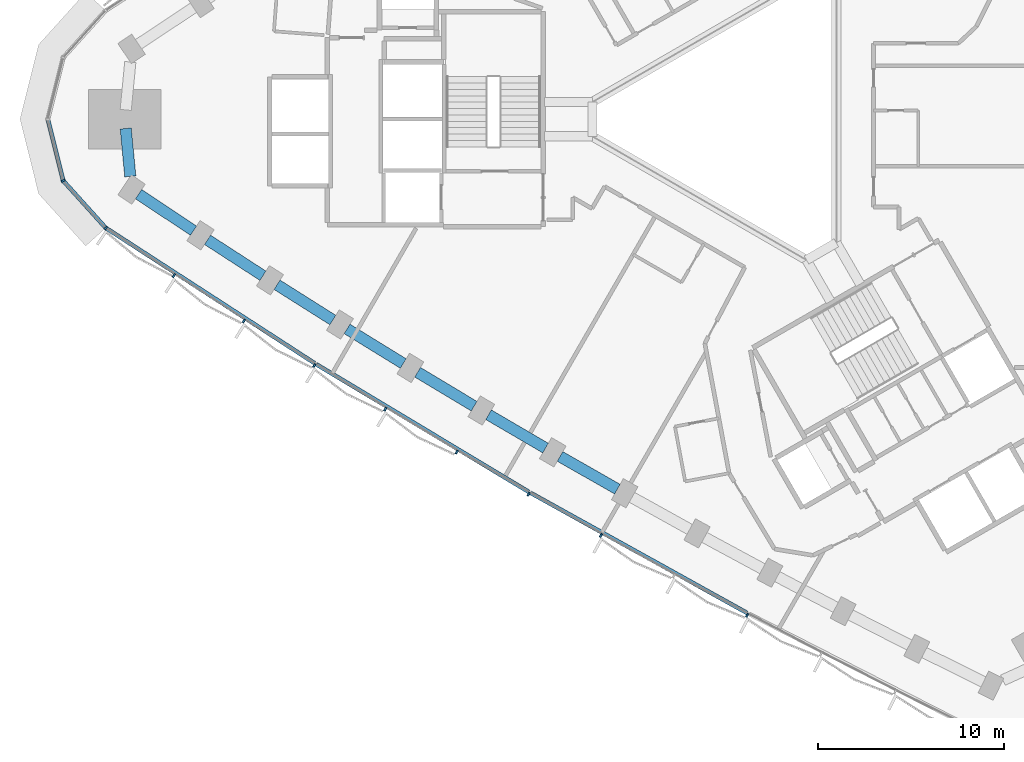
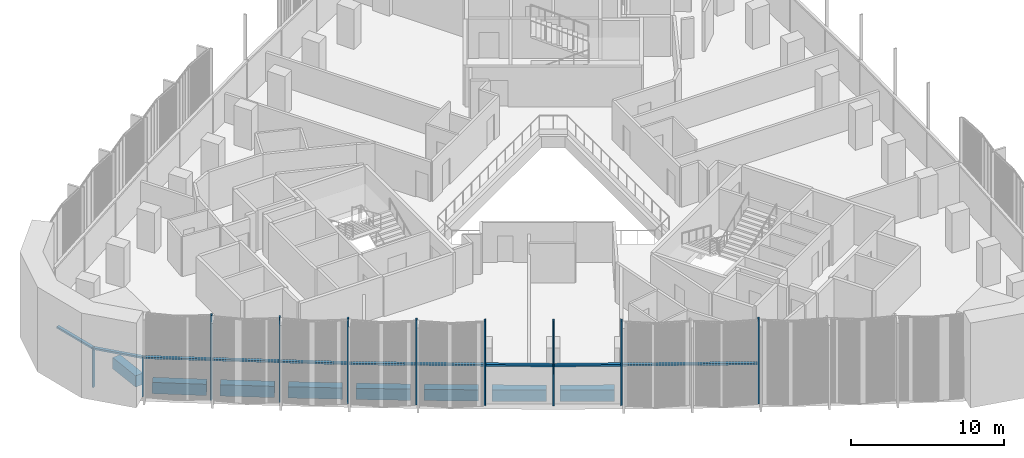
# One storey, part 2 of 15: 15 members, 8 beams, 2 elements without a shape of their own.
"""IFC4 building model written with IfcOpenShell, lengths in metres."""

from ifc_helpers import new_model, si_unit, direction, frame, origin, origin_2d, place, context, subcontext, project, spatial, rectangle, extrude, material, material_profile, profile_set, type_object, element, aggregate, save


model = new_model("IFC4")

# Units and contexts
model_context = context("Model", 3, precision=1e-05, world=origin(), true_north=direction((0.0, 1.0)))
body_context = subcontext(model_context, "Body", "Model", "MODEL_VIEW")
ifc_project = project(units=[si_unit("LENGTHUNIT", "METRE"), si_unit("AREAUNIT", "SQUARE_METRE"), si_unit("VOLUMEUNIT", "CUBIC_METRE"), si_unit("PLANEANGLEUNIT", "RADIAN"), si_unit("MASSUNIT", "GRAM", prefix="KILO")], contexts=[model_context])

# Site, building, storey
site_placement = place(None, origin())
site = spatial("IfcSite", under=ifc_project, at=site_placement, CompositionType="ELEMENT")
building_placement = place(site_placement, origin())
building = spatial("IfcBuilding", under=site, at=building_placement, Name="Tamra Quay Hotel Tower", CompositionType="ELEMENT")
storey_placement = place(building_placement, frame((0.0, 0.0, 90.199951171875)))
storey = spatial("IfcBuildingStorey", under=building, at=storey_placement, Name="L21", CompositionType="ELEMENT", Elevation=90.199951171875)

# Curtain wall, member
ifc_material_1 = material(Name="Aluminium 6063 anodised dark grey", Category="aluminium")
curtain_wall_type_1 = type_object("IfcCurtainWallType", Name="CW2 CURTAIN WALL", PredefinedType="NOTDEFINED", material=ifc_material_1)
curtain_wall_1_placement = place(storey_placement, origin())
curtain_wall_1 = element("IfcCurtainWall", 1, at=curtain_wall_1_placement, inside=storey, type_object=curtain_wall_type_1, Name="CW2 north-west face L21", PredefinedType="NOTDEFINED")
ifc_material_profile_1 = material_profile(ifc_material_1, rectangle(XDim=0.219970703125, YDim=0.10009765625, at=origin_2d()), Name="MULLION 100X220")
ifc_profile_set_1 = profile_set([ifc_material_profile_1], Name="Aluminium 6063 anodised dark grey")
member_type_1 = type_object("IfcMemberType", Name="MULLION CW2 Z2", PredefinedType="MULLION", material=ifc_profile_set_1)
member_1_placement = place(storey_placement, frame((-36.623046875, -3.308349609375, 0.0), z_axis=(0.0, 0.0, 1.0), x_axis=(-0.882543846683, -0.47023011248, 0.0)))
member_1 = element("IfcMember", 2, at=member_1_placement, type_object=member_type_1, Name="CW2 mullion L21.NW.16", PredefinedType="MULLION", context=body_context, shape_type="SweptSolid", body=[
    extrude(rectangle(XDim=0.219970703125, YDim=0.10009765625, at=origin_2d()), origin(), (0.0, 0.0, 1.0), 3.175048828125),
])

# Curtain wall, members
curtain_wall_type_2 = type_object("IfcCurtainWallType", Name="CW3 CURTAIN WALL", PredefinedType="NOTDEFINED", material=ifc_material_1)
curtain_wall_2_placement = place(storey_placement, origin())
curtain_wall_2 = element("IfcCurtainWall", 3, at=curtain_wall_2_placement, inside=storey, type_object=curtain_wall_type_2, Name="CW3 south-west face L21", PredefinedType="NOTDEFINED")
ifc_material_profile_2 = material_profile(ifc_material_1, rectangle(XDim=0.219970703125, YDim=0.10009765625, at=origin_2d()), Name="MULLION 100X220")
ifc_profile_set_2 = profile_set([ifc_material_profile_2], Name="Aluminium 6063 anodised dark grey")
member_type_2 = type_object("IfcMemberType", Name="MULLION CW3 Z2", PredefinedType="MULLION", material=ifc_profile_set_2)
member_2_placement = place(storey_placement, frame((-34.338134765625, -5.839599609375, 0.0), z_axis=(0.0, 0.0, 1.0), x_axis=(-0.652886835472, -0.757455464081, 0.0)))
member_2 = element("IfcMember", 4, at=member_2_placement, type_object=member_type_2, Name="CW3 mullion L21.SW.1", PredefinedType="MULLION", context=body_context, shape_type="SweptSolid", body=[
    extrude(rectangle(XDim=0.219970703125, YDim=0.10009765625, at=origin_2d()), origin(), (0.0, 0.0, 1.0), 3.175048828125),
])
member_3_placement = place(storey_placement, frame((-30.6728515625, -8.40625, 0.0), z_axis=(0.0, 0.0, 1.0), x_axis=(-0.548547394531, -0.836119462729, 0.0)))
member_3 = element("IfcMember", 5, at=member_3_placement, type_object=member_type_2, Name="CW3 mullion L21.SW.2", PredefinedType="MULLION", context=body_context, shape_type="SweptSolid", body=[
    extrude(rectangle(XDim=0.219970703125, YDim=0.10009765625, at=origin_2d()), origin(), (0.0, 0.0, 1.0), 6.775146484375),
])
member_4_placement = place(storey_placement, frame((-26.91796875, -10.83935546875, 0.0), z_axis=(0.0, 0.0, 1.0), x_axis=(-0.538998516205, -0.842306713453, 0.0)))
member_4 = element("IfcMember", 6, at=member_4_placement, type_object=member_type_2, Name="CW3 mullion L21.SW.3", PredefinedType="MULLION", context=body_context, shape_type="SweptSolid", body=[
    extrude(rectangle(XDim=0.219970703125, YDim=0.10009765625, at=origin_2d()), origin(), (0.0, 0.0, 1.0), 6.775146484375),
])
member_5_placement = place(storey_placement, frame((-23.13525390625, -13.2294921875, 0.0), z_axis=(0.0, 0.0, 1.0), x_axis=(-0.5293643356, -0.848394601701, 0.0)))
member_5 = element("IfcMember", 7, at=member_5_placement, type_object=member_type_2, Name="CW3 mullion L21.SW.4", PredefinedType="MULLION", context=body_context, shape_type="SweptSolid", body=[
    extrude(rectangle(XDim=0.219970703125, YDim=0.10009765625, at=origin_2d()), origin(), (0.0, 0.0, 1.0), 6.775146484375),
])
member_6_placement = place(storey_placement, frame((-19.32568359375, -15.576416015625, 0.0), z_axis=(0.0, 0.0, 1.0), x_axis=(-0.519650021275, -0.854379222236, 0.0)))
member_6 = element("IfcMember", 8, at=member_6_placement, type_object=member_type_2, Name="CW3 mullion L21.SW.5", PredefinedType="MULLION", context=body_context, shape_type="SweptSolid", body=[
    extrude(rectangle(XDim=0.219970703125, YDim=0.10009765625, at=origin_2d()), origin(), (0.0, 0.0, 1.0), 6.775146484375),
])
member_7_placement = place(storey_placement, frame((-15.489501953125, -17.8798828125, 0.0), z_axis=(0.0, 0.0, 1.0), x_axis=(-0.509860421596, -0.860257142075, 0.0)))
member_7 = element("IfcMember", 9, at=member_7_placement, type_object=member_type_2, Name="CW3 mullion L21.SW.6", PredefinedType="MULLION", context=body_context, shape_type="SweptSolid", body=[
    extrude(rectangle(XDim=0.219970703125, YDim=0.10009765625, at=origin_2d()), origin(), (0.0, 0.0, 1.0), 6.775146484375),
])
member_8_placement = place(storey_placement, frame((-11.62744140625, -20.13916015625, 0.0), z_axis=(0.0, 0.0, 1.0), x_axis=(-0.5, -0.866025403784, 0.0)))
member_8 = element("IfcMember", 10, at=member_8_placement, type_object=member_type_2, Name="CW3 mullion L21.SW.7", PredefinedType="MULLION", context=body_context, shape_type="SweptSolid", body=[
    extrude(rectangle(XDim=0.219970703125, YDim=0.10009765625, at=origin_2d()), origin(), (0.0, 0.0, 1.0), 6.775146484375),
])
member_9_placement = place(storey_placement, frame((-7.739501953125, -22.354248046875, 0.0), z_axis=(0.0, 0.0, 1.0), x_axis=(-0.490074328026, -0.871680648523, 0.0)))
member_9 = element("IfcMember", 11, at=member_9_placement, type_object=member_type_2, Name="CW3 mullion L21.SW.8", PredefinedType="MULLION", context=body_context, shape_type="SweptSolid", body=[
    extrude(rectangle(XDim=0.219970703125, YDim=0.10009765625, at=origin_2d()), origin(), (0.0, 0.0, 1.0), 6.775146484375),
])
member_10_placement = place(storey_placement, frame((0.110595703125, -26.650634765625, 0.0), z_axis=(0.0, 0.0, 1.0), x_axis=(-0.470049109706, -0.882640263337, 0.0)))
member_10 = element("IfcMember", 12, at=member_10_placement, type_object=member_type_2, Name="CW3 mullion L21.SW.10", PredefinedType="MULLION", context=body_context, shape_type="SweptSolid", body=[
    extrude(rectangle(XDim=0.219970703125, YDim=0.10009765625, at=origin_2d()), origin(), (0.0, 0.0, 1.0), 6.775146484375),
])

# Beams
ifc_material_2 = material(Name="Concrete M60", Category="concrete")
ifc_material_profile_3 = material_profile(ifc_material_2, rectangle(XDim=0.60009765625, YDim=0.89990234375, at=origin_2d()), Name="SPANDREL BEAM RC 600x900")
ifc_profile_set_3 = profile_set([ifc_material_profile_3], Name="Concrete M60")
beam_type = type_object("IfcBeamType", Name="SPANDREL BEAM RC 600x900", PredefinedType="SPANDREL", material=ifc_profile_set_3)
beam_1_placement = place(storey_placement, frame((-33.26611328125, -0.497802734375, -0.875), z_axis=(0.09550001445, -0.995429428558, 0.0), x_axis=(0.995429428558, 0.09550001445, 0.0)))
element("IfcBeam", 13, at=beam_1_placement, inside=storey, type_object=beam_type, Name="BM-SP2-027-L21", PredefinedType="SPANDREL", context=body_context, shape_type="SweptSolid", body=[
    extrude(rectangle(XDim=0.60009765625, YDim=0.89990234375, at=origin_2d()), origin(), (0.0, 0.0, 1.0), 2.58447265625),
])
beam_2_placement = place(storey_placement, frame((-32.57666015625, -4.025390625, -0.875), z_axis=(0.832981511469, -0.55330082374, 0.0), x_axis=(0.55330082374, 0.832981511469, 0.0)))
element("IfcBeam", 14, at=beam_2_placement, inside=storey, type_object=beam_type, Name="BM-SP2-028-L21", PredefinedType="SPANDREL", context=body_context, shape_type="SweptSolid", body=[
    extrude(rectangle(XDim=0.60009765625, YDim=0.89990234375, at=origin_2d()), origin(), (0.0, 0.0, 1.0), 3.544921875),
])
beam_3_placement = place(storey_placement, frame((-28.87109375, -6.480712890625, -0.875), z_axis=(0.839237385713, -0.543765216266, 0.0), x_axis=(0.543765216266, 0.839237385713, 0.0)))
element("IfcBeam", 15, at=beam_3_placement, inside=storey, type_object=beam_type, Name="BM-SP2-029-L21", PredefinedType="SPANDREL", context=body_context, shape_type="SweptSolid", body=[
    extrude(rectangle(XDim=0.60009765625, YDim=0.89990234375, at=origin_2d()), origin(), (0.0, 0.0, 1.0), 3.544677734375),
])
for number, where, z_axis, x_axis, name in (
    (16, (-25.13818359375, -8.893310546875, -0.875), (0.845333394052, -0.534239134566, 0.0), (0.534239134566, 0.845333394052, 0.0), "BM-SP2-030-L21"),
    (17, (-21.3779296875, -11.263427734375, -0.875), (0.851393361846, -0.524527733685, 0.0), (0.524527733685, 0.851393361846, 0.0), "BM-SP2-031-L21"),
):
    element("IfcBeam", number, at=place(storey_placement, frame(where, z_axis=z_axis, x_axis=x_axis)), inside=storey, type_object=beam_type, Name=name, PredefinedType="SPANDREL", context=body_context, shape_type="SweptSolid", body=[
        extrude(rectangle(XDim=0.60009765625, YDim=0.89990234375, at=origin_2d()), origin(), (0.0, 0.0, 1.0), 3.544921875),
    ])
for number, where, z_axis, x_axis, name in (
    (18, (-17.5908203125, -13.59033203125, -0.875), (0.857286231776, -0.514840088578, 0.0), (0.514840088578, 0.857286231776, 0.0), "BM-SP2-032-L21"),
    (19, (-13.777587890625, -15.8740234375, -0.875), (0.863128698129, -0.504984010109, 0.0), (0.504984010109, 0.863128698129, 0.0), "BM-SP2-033-L21"),
):
    element("IfcBeam", number, at=place(storey_placement, frame(where, z_axis=z_axis, x_axis=x_axis)), inside=storey, type_object=beam_type, Name=name, PredefinedType="SPANDREL", context=body_context, shape_type="SweptSolid", body=[
        extrude(rectangle(XDim=0.60009765625, YDim=0.89990234375, at=origin_2d()), origin(), (0.0, 0.0, 1.0), 3.544677734375),
    ])
beam_4_placement = place(storey_placement, frame((-9.9384765625, -18.114013671875, -0.875), z_axis=(0.868869699181, -0.495040852704, 0.0), x_axis=(0.495040852704, 0.868869699181, 0.0)))
element("IfcBeam", 20, at=beam_4_placement, inside=storey, type_object=beam_type, Name="BM-SP2-034-L21", PredefinedType="SPANDREL", context=body_context, shape_type="SweptSolid", body=[
    extrude(rectangle(XDim=0.60009765625, YDim=0.89990234375, at=origin_2d()), origin(), (0.0, 0.0, 1.0), 3.544921875),
])

# Member
ifc_material_profile_4 = material_profile(ifc_material_1, rectangle(XDim=0.219970703125, YDim=0.139892578125, at=origin_2d()), Name="TRANSOM 220X140")
ifc_profile_set_4 = profile_set([ifc_material_profile_4], Name="Aluminium 6063 anodised dark grey")
member_type_3 = type_object("IfcMemberType", Name="TRANSOM CW2 Z2", PredefinedType="USERDEFINED", material=ifc_profile_set_4)
member_11_placement = place(storey_placement, frame((-37.437255859375, -0.048583984375, 3.10498046875), z_axis=(0.242292652285, -0.970203211007, 0.0), x_axis=(0.970203211007, 0.242292652285, 0.0)))
member_11 = element("IfcMember", 21, at=member_11_placement, type_object=member_type_3, Name="CW2 transom L21.NW.15", ObjectType="TRANSOM", PredefinedType="USERDEFINED", context=body_context, shape_type="SweptSolid", body=[
    extrude(rectangle(XDim=0.219970703125, YDim=0.139892578125, at=origin_2d()), origin(), (0.0, 0.0, 1.0), 3.31005859375),
])

member_12_placement = place(storey_placement, frame((-36.589599609375, -3.345458984375, 3.10498046875), z_axis=(0.670080516261, -0.742288422196, 0.0), x_axis=(0.742288422196, 0.670080516261, 0.0)))
member_12 = element("IfcMember", 22, at=member_12_placement, type_object=member_type_3, Name="CW2 transom L21.NW.16", ObjectType="TRANSOM", PredefinedType="USERDEFINED", context=body_context, shape_type="SweptSolid", body=[
    extrude(rectangle(XDim=0.219970703125, YDim=0.139892578125, at=origin_2d()), origin(), (0.0, 0.0, 1.0), 3.31005859375),
])

aggregate(curtain_wall_1, [member_11, member_1, member_12])

ifc_material_profile_5 = material_profile(ifc_material_1, rectangle(XDim=0.219970703125, YDim=0.139892578125, at=origin_2d()), Name="TRANSOM 220X140")
ifc_profile_set_5 = profile_set([ifc_material_profile_5], Name="Aluminium 6063 anodised dark grey")
member_type_4 = type_object("IfcMemberType", Name="TRANSOM CW3 Z2", PredefinedType="USERDEFINED", material=ifc_profile_set_5)
member_13_placement = place(storey_placement, frame((-34.29638671875, -5.867431640625, 3.10498046875), z_axis=(0.8392271939, -0.543780945804, 0.0), x_axis=(0.543780945804, 0.8392271939, 0.0)))
member_13 = element("IfcMember", 23, at=member_13_placement, type_object=member_type_4, Name="CW3 transom L21.SW.1", ObjectType="TRANSOM", PredefinedType="USERDEFINED", context=body_context, shape_type="SweptSolid", body=[
    extrude(rectangle(XDim=0.219970703125, YDim=0.139892578125, at=origin_2d()), origin(), (0.0, 0.0, 1.0), 13.318115234375),
])

member_14_placement = place(storey_placement, frame((-23.034423828125, -13.16259765625, 3.10498046875), z_axis=(0.857332765871, -0.514762594372, 0.0), x_axis=(0.514762594372, 0.857332765871, 0.0)))
member_14 = element("IfcMember", 24, at=member_14_placement, type_object=member_type_4, Name="CW3 transom L21.SW.4", ObjectType="TRANSOM", PredefinedType="USERDEFINED", context=body_context, shape_type="SweptSolid", body=[
    extrude(rectangle(XDim=0.219970703125, YDim=0.139892578125, at=origin_2d()), origin(), (0.0, 0.0, 1.0), 13.319091796875),
])

member_15_placement = place(storey_placement, frame((-11.529052734375, -20.068603515625, 3.10498046875), z_axis=(0.874459721019, -0.485098130605, 0.0), x_axis=(0.485098130605, 0.874459721019, 0.0)))
member_15 = element("IfcMember", 25, at=member_15_placement, type_object=member_type_4, Name="CW3 transom L21.SW.7", ObjectType="TRANSOM", PredefinedType="USERDEFINED", context=body_context, shape_type="SweptSolid", body=[
    extrude(rectangle(XDim=0.219970703125, YDim=0.139892578125, at=origin_2d()), origin(), (0.0, 0.0, 1.0), 13.3193359375),
])

aggregate(curtain_wall_2, [member_2, member_13, member_3, member_4, member_5, member_14, member_6, member_7, member_8, member_15, member_9, member_10])

save(model, "model.ifc")
